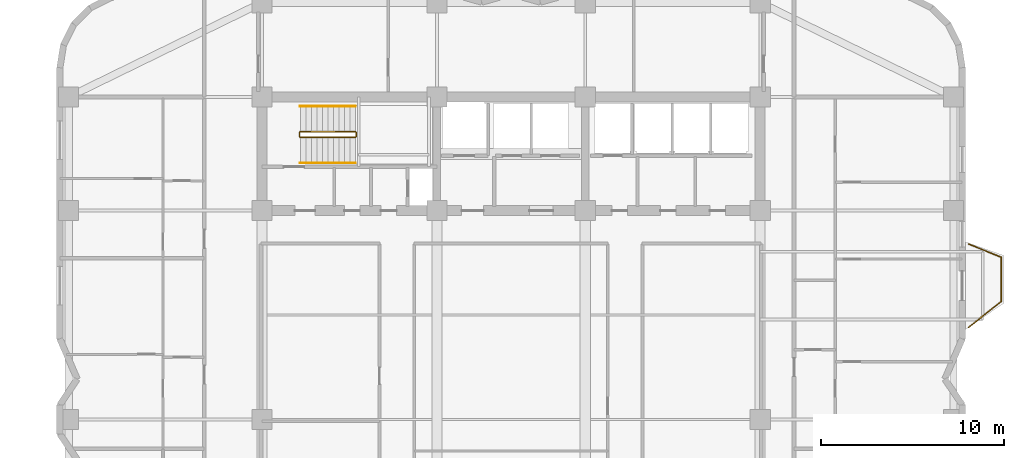
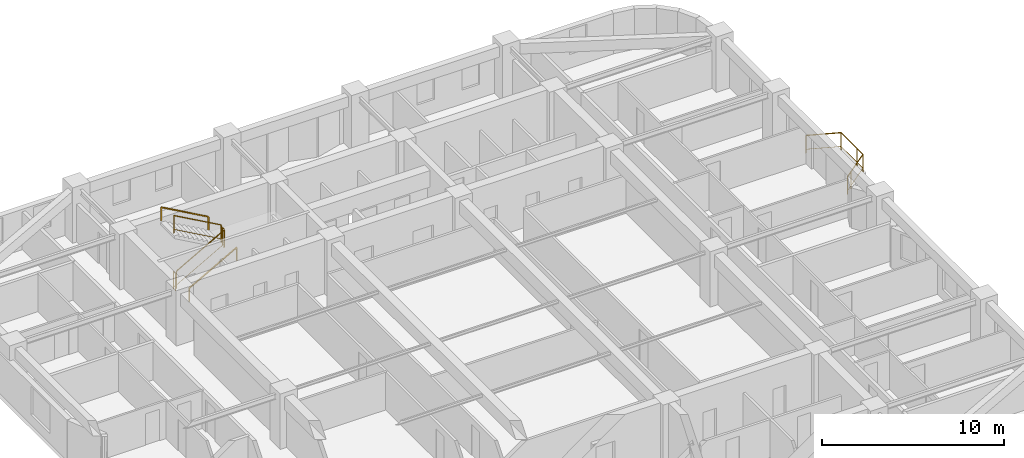
# One storey, part 9 of 9: 7 railings.
"""IFC4 building model written with IfcOpenShell, lengths in metres."""

import ifcopenshell
import ifcopenshell.guid

model = None  # the IFC model being written
_history = None  # IfcOwnerHistory: only IFC2X3 demands one
_inside = {}  # id of a spatial element -> (the spatial element, [elements in it])
_under = {}  # id of a project, library or spatial element -> (it, [spatial elements below it])
_declared = {}  # id of a project -> (the project, [libraries it declares])
_typed = {}  # id of a type object -> (the type object, [elements of that type])
_made_of = {}  # id of a material, layer set ... -> (it, [elements and type objects made of it])


def new_model(schema):
    """Start an empty IFC model of exactly this schema.

    Asked for "IFC4X3", IfcOpenShell would pick the latest addendum, in which some entities
    have other attributes; the version numbers below select the first issue.
    IFC2X3 requires an IfcOwnerHistory on every rooted entity: one is made here for all.
    """
    global model, _history
    if schema == "IFC4X3":
        model = ifcopenshell.file(schema_version=(4, 3, 0, 0))
    else:
        model = ifcopenshell.file(schema=schema)
    _inside.clear()
    _under.clear()
    _declared.clear()
    _typed.clear()
    _made_of.clear()
    _history = None
    if model.schema == "IFC2X3":
        org = make("IfcOrganization", Name="unknown")
        user = make(
            "IfcPersonAndOrganization",
            ThePerson=make("IfcPerson", FamilyName="unknown"),
            TheOrganization=org,
        )
        app = make(
            "IfcApplication",
            ApplicationDeveloper=org,
            Version="unknown",
            ApplicationFullName="unknown",
            ApplicationIdentifier="unknown",
        )
        _history = make(
            "IfcOwnerHistory",
            OwningUser=user,
            OwningApplication=app,
            ChangeAction="ADDED",
            CreationDate=0,
        )
    return model


def make(cls, **values):
    """One entity of the class cls with the attributes given. An attribute that is None is left unset."""
    return model.create_entity(
        cls, **{name: value for name, value in values.items() if value is not None}
    )


def rooted(cls, **values):
    """An entity with a GlobalId (a new one), such as an element, a storey or a relation."""
    return make(cls, GlobalId=ifcopenshell.guid.new(), OwnerHistory=_history, **values)


def si_unit(unit_type, name, prefix=None):
    """IfcSIUnit, for example si_unit("LENGTHUNIT", "METRE", prefix="MILLI")."""
    return make("IfcSIUnit", UnitType=unit_type, Prefix=prefix, Name=name)


def assignment(units):
    """IfcUnitAssignment: the units of a project."""
    return None if units is None else make("IfcUnitAssignment", Units=units)


def point(xyz):
    """IfcCartesianPoint."""
    return None if xyz is None else make("IfcCartesianPoint", Coordinates=xyz)


def direction(xyz):
    """IfcDirection."""
    return None if xyz is None else make("IfcDirection", DirectionRatios=xyz)


def frame(location, z_axis=None, x_axis=None):
    """IfcAxis2Placement3D, a coordinate frame: its origin and axes. An axis left out is left unset."""
    return make(
        "IfcAxis2Placement3D",
        Location=point(location),
        Axis=direction(z_axis),
        RefDirection=direction(x_axis),
    )


def frame_2d(location, x_axis=None):
    """IfcAxis2Placement2D, a coordinate frame in the plane: its origin and x axis."""
    return make(
        "IfcAxis2Placement2D", Location=point(location), RefDirection=direction(x_axis)
    )


def origin():
    """The frame at (0, 0, 0) with its axes left unset."""
    return frame((0.0, 0.0, 0.0))


def origin_2d():
    """The frame at (0, 0) in the plane with its x axis left unset."""
    return frame_2d((0.0, 0.0))


def place(relative_to, where):
    """IfcLocalPlacement: puts the frame where relative to a parent placement (None: the world)."""
    return make(
        "IfcLocalPlacement", PlacementRelTo=relative_to, RelativePlacement=where
    )


def context(
    kind, dimensions, precision=None, world=None, true_north=None, identifier=None
):
    """IfcGeometricRepresentationContext, for example the 3D "Model" context."""
    return make(
        "IfcGeometricRepresentationContext",
        ContextIdentifier=identifier,
        ContextType=kind,
        CoordinateSpaceDimension=dimensions,
        Precision=precision,
        WorldCoordinateSystem=world,
        TrueNorth=true_north,
    )


def subcontext(parent, identifier, kind, view, scale=None):
    """IfcGeometricRepresentationSubContext, for example "Body" below "Model"."""
    return make(
        "IfcGeometricRepresentationSubContext",
        ContextIdentifier=identifier,
        ContextType=kind,
        ParentContext=parent,
        TargetScale=scale,
        TargetView=view,
    )


def project(units=None, contexts=None):
    """IfcProject with its units and contexts."""
    return rooted(
        "IfcProject",
        Name="project",
        RepresentationContexts=contexts,
        UnitsInContext=assignment(units),
    )


def spatial(cls, under=None, at=None, **own):
    """A site, building, storey or space (cls), placed at a placement, below another one or the project."""
    s = rooted(cls, ObjectPlacement=at, **own)
    if under is not None:
        _under.setdefault(under.id(), (under, []))[1].append(s)
    return s


def profile(cls, at=None, kind="AREA", **sizes):
    """A parametric profile (cls). Its sizes go by their IFC names, for example OverallWidth=200.0."""
    return make(cls, ProfileType=kind, Position=at, **sizes)


def rectangle(**sizes):
    """IfcRectangleProfileDef."""
    return profile("IfcRectangleProfileDef", **sizes)


def extrude(swept, where, along, depth):
    """IfcExtrudedAreaSolid: the profile swept, set in the frame where, extruded along a direction by depth."""
    return make(
        "IfcExtrudedAreaSolid",
        SweptArea=swept,
        Position=where,
        ExtrudedDirection=direction(along),
        Depth=depth,
    )


def shape(context_of_items, identifier, shape_type, items):
    """IfcShapeRepresentation: the items that make up one representation, for example the "Body"."""
    return make(
        "IfcShapeRepresentation",
        ContextOfItems=context_of_items,
        RepresentationIdentifier=identifier,
        RepresentationType=shape_type,
        Items=items,
    )


def material(Name=None, Category=None):
    """IfcMaterial."""
    return make("IfcMaterial", Name=Name, Category=Category)


def made_of(thing, what):
    """Note that an element or type object is made of a material, layer set ...; save() writes the relation."""
    if what is not None:
        _made_of.setdefault(what.id(), (what, []))[1].append(thing)
    return thing


def type_object(cls, material=None, **own):
    """A type object (cls), such as IfcWallType, which elements share."""
    return made_of(rooted(cls, **own), material)


def element(
    cls,
    number,
    at=None,
    inside=None,
    cuts=None,
    type_object=None,
    material=None,
    context=None,
    identifier="Body",
    shape_type=None,
    held_by="IfcProductDefinitionShape",
    body=None,
    shapes=None,
    **own,
):
    """One element of the class cls, such as IfcWall. Its Tag is "e" and its number.

    at: its placement. inside: the storey or other place that contains it. cuts: it is an
    opening in that element (IfcRelVoidsElement). A single representation is given by context,
    identifier, shape_type and body (its items); several are given by shapes. held_by: the class
    of the entity that holds the representations. save() writes the other relations.
    """
    e = rooted(cls, Tag="e%d" % number, ObjectPlacement=at, **own)
    if body is not None:
        shapes = [shape(context, identifier, shape_type, body)]
    if shapes is not None:
        e.Representation = make(held_by, Representations=shapes)
    if inside is not None:
        _inside.setdefault(inside.id(), (inside, []))[1].append(e)
    if cuts is not None:
        rooted(
            "IfcRelVoidsElement", RelatingBuildingElement=cuts, RelatedOpeningElement=e
        )
    if type_object is not None:
        _typed.setdefault(type_object.id(), (type_object, []))[1].append(e)
    return made_of(e, material)


def aggregate(whole, parts):
    """IfcRelAggregates: a whole, such as a stair, and the parts it consists of."""
    return rooted("IfcRelAggregates", RelatingObject=whole, RelatedObjects=parts)


def save(model, path):
    """Write the relations noted so far, then the file.

    IfcRelAggregates (storeys below a building ...), IfcRelContainedInSpatialStructure (elements
    in a storey), IfcRelDefinesByType, IfcRelAssociatesMaterial and IfcRelDeclares: one each for
    every whole, place, type object, material and project.
    """
    for whole, parts in _under.values():
        aggregate(whole, parts)
    for where, things in _inside.values():
        rooted(
            "IfcRelContainedInSpatialStructure",
            RelatedElements=things,
            RelatingStructure=where,
        )
    for kind, things in _typed.values():
        rooted("IfcRelDefinesByType", RelatedObjects=things, RelatingType=kind)
    for what, things in _made_of.values():
        rooted("IfcRelAssociatesMaterial", RelatedObjects=things, RelatingMaterial=what)
    for by, libraries in _declared.values():
        rooted("IfcRelDeclares", RelatingContext=by, RelatedDefinitions=libraries)
    model.write(path)


model = new_model("IFC4")

# Units and contexts
model_context = context("Model", 3, precision=1e-05, world=origin(), true_north=direction((0.0, 1.0)))
body_context = subcontext(model_context, "Body", "Model", "MODEL_VIEW")
ifc_project = project(units=[si_unit("LENGTHUNIT", "METRE"), si_unit("AREAUNIT", "SQUARE_METRE"), si_unit("VOLUMEUNIT", "CUBIC_METRE"), si_unit("PLANEANGLEUNIT", "RADIAN"), si_unit("MASSUNIT", "GRAM", prefix="KILO")], contexts=[model_context])

# Site, building, storey
site_placement = place(None, origin())
site = spatial("IfcSite", under=ifc_project, at=site_placement, CompositionType="ELEMENT")
building_placement = place(site_placement, origin())
building = spatial("IfcBuilding", under=site, at=building_placement, Name="Svetorya Sky Lyceum", CompositionType="ELEMENT")
storey_placement = place(building_placement, frame((0.0, 0.0, 103.10009765625)))
storey = spatial("IfcBuildingStorey", under=building, at=storey_placement, Name="L25", CompositionType="ELEMENT", Elevation=103.10009765625)

# Railings
ifc_material_1 = material(Name="Laminated safety glass and stainless AISI 316", Category="glass")
railing_type_1 = type_object("IfcRailingType", Name="RL-BAL-1200", PredefinedType="BALUSTRADE", material=ifc_material_1)
railing_1_placement = place(storey_placement, frame((64.169921875, 37.780029296875, 0.0)))
element("IfcRailing", 1, at=railing_1_placement, inside=storey, type_object=railing_type_1, Name="L25 Balcony Balustrade BAL-E1", PredefinedType="BALUSTRADE", context=body_context, shape_type="SweptSolid", body=[
    extrude(rectangle(XDim=0.048095703125, YDim=0.048095703125, at=origin_2d()), frame((0.0, 0.0, 1.17578125), z_axis=(0.926697865975, -0.375807218129, 0.0), x_axis=(0.375807218129, 0.926697865975, 0.0)), (0.0, 0.0, 1.0), 1.9423828125),
    extrude(rectangle(XDim=0.02392578125, YDim=0.02392578125, at=origin_2d()), frame((0.0, 0.0, 0.25), z_axis=(0.926697865975, -0.375807218129, 0.0), x_axis=(0.375807218129, 0.926697865975, 0.0)), (0.0, 0.0, 1.0), 1.9423828125),
    extrude(rectangle(XDim=0.048095703125, YDim=0.048095703125, at=origin_2d()), frame((1.800048828125, -0.72998046875, 1.17578125), z_axis=(0.0, -1.0, 0.0), x_axis=(1.0, 0.0, 0.0)), (0.0, 0.0, 1.0), 2.400146484375),
    extrude(rectangle(XDim=0.02392578125, YDim=0.02392578125, at=origin_2d()), frame((1.800048828125, -0.72998046875, 0.25), z_axis=(0.0, -1.0, 0.0), x_axis=(1.0, 0.0, 0.0)), (0.0, 0.0, 1.0), 2.400146484375),
    extrude(rectangle(XDim=0.048095703125, YDim=0.048095703125, at=origin_2d()), frame((1.800048828125, -3.130126953125, 1.17578125), z_axis=(-0.783008919264, -0.622010476079, 0.0), x_axis=(0.622010476079, -0.783008919264, 0.0)), (0.0, 0.0, 1.0), 2.298828125),
    extrude(rectangle(XDim=0.02392578125, YDim=0.02392578125, at=origin_2d()), frame((1.800048828125, -3.130126953125, 0.25), z_axis=(-0.783008919264, -0.622010476079, 0.0), x_axis=(0.622010476079, -0.783008919264, 0.0)), (0.0, 0.0, 1.0), 2.298828125),
    extrude(rectangle(XDim=0.0419921875, YDim=0.0419921875, at=origin_2d()), origin(), (0.0, 0.0, 1.0), 1.15185546875),
    extrude(rectangle(XDim=0.0419921875, YDim=0.0419921875, at=origin_2d()), frame((1.800048828125, -0.72998046875, 0.0)), (0.0, 0.0, 1.0), 1.15185546875),
    extrude(rectangle(XDim=0.0419921875, YDim=0.0419921875, at=origin_2d()), frame((1.800048828125, -2.47998046875, 0.0)), (0.0, 0.0, 1.0), 1.15185546875),
    extrude(rectangle(XDim=0.0419921875, YDim=0.0419921875, at=origin_2d()), frame((1.800048828125, -3.130126953125, 0.0)), (0.0, 0.0, 1.0), 1.15185546875),
    extrude(rectangle(XDim=0.0419921875, YDim=0.0419921875, at=origin_2d()), frame((0.4296875, -4.21875, 0.0)), (0.0, 0.0, 1.0), 1.15185546875),
    extrude(rectangle(XDim=0.0419921875, YDim=0.0419921875, at=origin_2d()), frame((0.0, -4.56005859375, 0.0)), (0.0, 0.0, 1.0), 1.15185546875),
])
ifc_material_2 = material(Name="Painted galvanized stair well guard")
railing_type_2 = type_object("IfcRailingType", Name="RL-STR-GUARD-1200", PredefinedType="GUARDRAIL", material=ifc_material_2)
railing_2_placement = place(storey_placement, frame((27.699951171875, 43.60009765625, 0.16796875)))
element("IfcRailing", 2, at=railing_2_placement, inside=storey, type_object=railing_type_2, Name="L25 ST-N stair guard 1", PredefinedType="GUARDRAIL", context=body_context, shape_type="SweptSolid", body=[
    extrude(rectangle(XDim=0.048095703125, YDim=0.048095703125, at=origin_2d()), frame((0.0, 0.0, 1.17578125), z_axis=(0.872272294576, 0.0, 0.489020494575), x_axis=(0.0, 1.0, 0.0)), (0.0, 0.0, 1.0), 3.439208984375),
    extrude(rectangle(XDim=0.02392578125, YDim=0.02392578125, at=origin_2d()), frame((0.0, 0.0, 0.25), z_axis=(0.872272294576, 0.0, 0.489020494575), x_axis=(0.0, 1.0, 0.0)), (0.0, 0.0, 1.0), 3.439208984375),
    extrude(rectangle(XDim=0.0419921875, YDim=0.0419921875, at=origin_2d()), origin(), (0.0, 0.0, 1.0), 1.15185546875),
    extrude(rectangle(XDim=0.0419921875, YDim=0.0419921875, at=origin_2d()), frame((3.0, 0.0, 1.681884765625)), (0.0, 0.0, 1.0), 1.15185546875),
])
railing_3_placement = place(storey_placement, frame((30.75, 43.64990234375, 1.849853515625)))
element("IfcRailing", 3, at=railing_3_placement, inside=storey, type_object=railing_type_2, Name="L25 ST-N stair guard 2", PredefinedType="GUARDRAIL", context=body_context, shape_type="SweptSolid", body=[
    extrude(rectangle(XDim=0.048095703125, YDim=0.048095703125, at=origin_2d()), frame((0.0, 0.0, 1.17578125), z_axis=(0.0, 1.0, 0.0), x_axis=(-1.0, 0.0, 0.0)), (0.0, 0.0, 1.0), 0.2001953125),
    extrude(rectangle(XDim=0.02392578125, YDim=0.02392578125, at=origin_2d()), frame((0.0, 0.0, 0.25), z_axis=(0.0, 1.0, 0.0), x_axis=(-1.0, 0.0, 0.0)), (0.0, 0.0, 1.0), 0.2001953125),
    extrude(rectangle(XDim=0.0419921875, YDim=0.0419921875, at=origin_2d()), origin(), (0.0, 0.0, 1.0), 1.15185546875),
    extrude(rectangle(XDim=0.0419921875, YDim=0.0419921875, at=origin_2d()), frame((0.0, 0.2001953125, 0.0)), (0.0, 0.0, 1.0), 1.15185546875),
])
railing_4_placement = place(storey_placement, frame((30.699951171875, 43.89990234375, 2.01806640625)))
element("IfcRailing", 4, at=railing_4_placement, inside=storey, type_object=railing_type_2, Name="L25 ST-N stair guard 3", PredefinedType="GUARDRAIL", context=body_context, shape_type="SweptSolid", body=[
    extrude(rectangle(XDim=0.048095703125, YDim=0.048095703125, at=origin_2d()), frame((0.0, 0.0, 1.17578125), z_axis=(-0.872272294576, 0.0, 0.489020494575), x_axis=(0.0, -1.0, 0.0)), (0.0, 0.0, 1.0), 3.439208984375),
    extrude(rectangle(XDim=0.02392578125, YDim=0.02392578125, at=origin_2d()), frame((0.0, 0.0, 0.25), z_axis=(-0.872272294576, 0.0, 0.489020494575), x_axis=(0.0, -1.0, 0.0)), (0.0, 0.0, 1.0), 3.439208984375),
    extrude(rectangle(XDim=0.0419921875, YDim=0.0419921875, at=origin_2d()), origin(), (0.0, 0.0, 1.0), 1.15185546875),
    extrude(rectangle(XDim=0.0419921875, YDim=0.0419921875, at=origin_2d()), frame((-3.0, 0.0, 1.681884765625)), (0.0, 0.0, 1.0), 1.15185546875),
])
railing_5_placement = place(storey_placement, frame((27.64990234375, 43.64990234375, 0.0)))
element("IfcRailing", 5, at=railing_5_placement, inside=storey, type_object=railing_type_2, Name="L25 ST-N stair guard 4", PredefinedType="GUARDRAIL", context=body_context, shape_type="SweptSolid", body=[
    extrude(rectangle(XDim=0.048095703125, YDim=0.048095703125, at=origin_2d()), frame((0.0, 0.0, 1.17578125), z_axis=(0.0, 1.0, 0.0), x_axis=(-1.0, 0.0, 0.0)), (0.0, 0.0, 1.0), 0.2001953125),
    extrude(rectangle(XDim=0.02392578125, YDim=0.02392578125, at=origin_2d()), frame((0.0, 0.0, 0.25), z_axis=(0.0, 1.0, 0.0), x_axis=(-1.0, 0.0, 0.0)), (0.0, 0.0, 1.0), 0.2001953125),
    extrude(rectangle(XDim=0.0419921875, YDim=0.0419921875, at=origin_2d()), origin(), (0.0, 0.0, 1.0), 1.15185546875),
    extrude(rectangle(XDim=0.0419921875, YDim=0.0419921875, at=origin_2d()), frame((0.0, 0.2001953125, 0.0)), (0.0, 0.0, 1.0), 1.15185546875),
])
ifc_material_3 = material(Name="Brushed stainless AISI 304 stair handrail")
railing_type_3 = type_object("IfcRailingType", Name="RL-STR-HAND-920", PredefinedType="HANDRAIL", material=ifc_material_3)
railing_6_placement = place(storey_placement, frame((27.699951171875, 42.199951171875, 0.16796875)))
element("IfcRailing", 6, at=railing_6_placement, inside=storey, type_object=railing_type_3, Name="L25 ST-N stair handrail 1", PredefinedType="HANDRAIL", context=body_context, shape_type="SweptSolid", body=[
    extrude(rectangle(XDim=0.048095703125, YDim=0.048095703125, at=origin_2d()), frame((0.0, 0.0, 0.8759765625), z_axis=(0.872272294576, 0.0, 0.489020494575), x_axis=(0.0, 1.0, 0.0)), (0.0, 0.0, 1.0), 3.439208984375),
    extrude(rectangle(XDim=0.0419921875, YDim=0.0419921875, at=origin_2d()), origin(), (0.0, 0.0, 1.0), 0.851806640625),
    extrude(rectangle(XDim=0.0419921875, YDim=0.0419921875, at=origin_2d()), frame((3.0, 0.0, 1.681884765625)), (0.0, 0.0, 1.0), 0.851806640625),
])
railing_7_placement = place(storey_placement, frame((30.699951171875, 45.300048828125, 2.01806640625)))
element("IfcRailing", 7, at=railing_7_placement, inside=storey, type_object=railing_type_3, Name="L25 ST-N stair handrail 2", PredefinedType="HANDRAIL", context=body_context, shape_type="SweptSolid", body=[
    extrude(rectangle(XDim=0.048095703125, YDim=0.048095703125, at=origin_2d()), frame((0.0, 0.0, 0.8759765625), z_axis=(-0.872272294576, 0.0, 0.489020494575), x_axis=(0.0, -1.0, 0.0)), (0.0, 0.0, 1.0), 3.439208984375),
    extrude(rectangle(XDim=0.0419921875, YDim=0.0419921875, at=origin_2d()), origin(), (0.0, 0.0, 1.0), 0.851806640625),
    extrude(rectangle(XDim=0.0419921875, YDim=0.0419921875, at=origin_2d()), frame((-3.0, 0.0, 1.681884765625)), (0.0, 0.0, 1.0), 0.851806640625),
])

save(model, "model.ifc")
